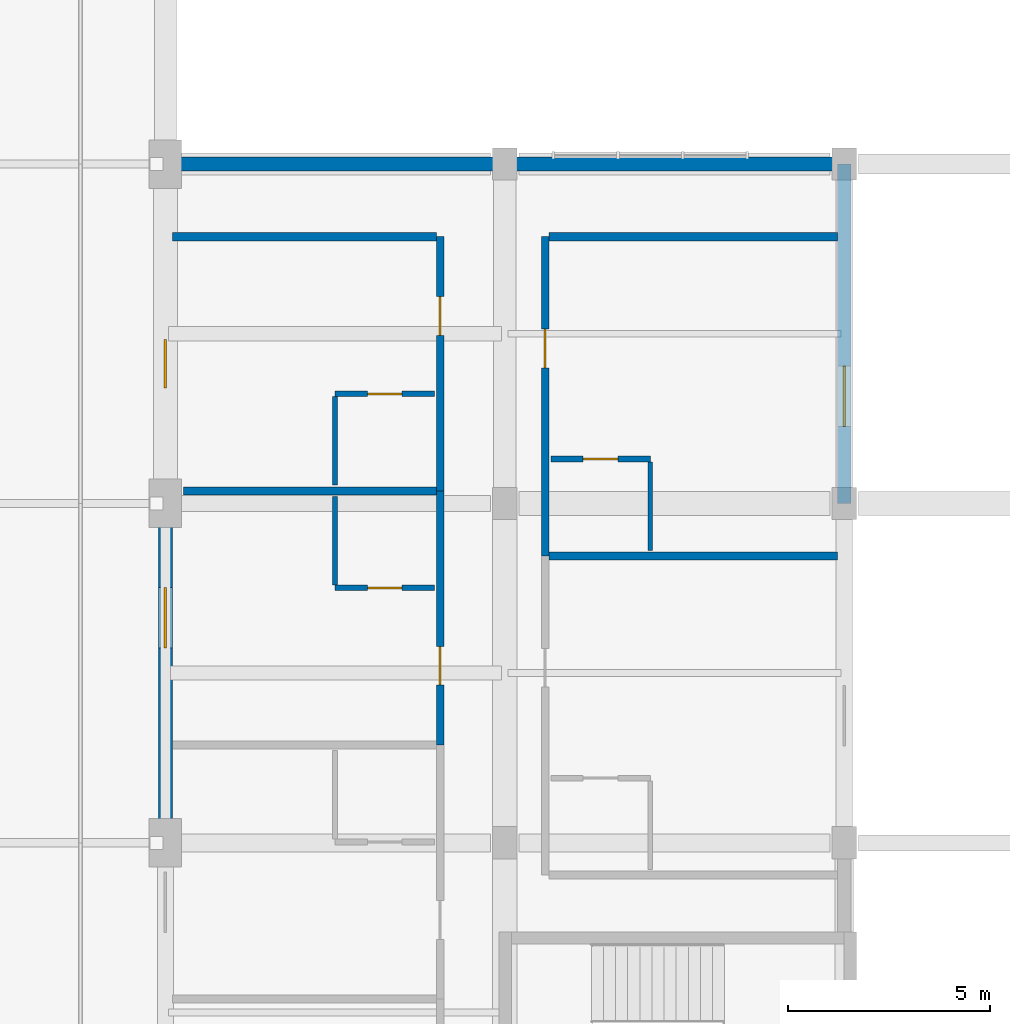
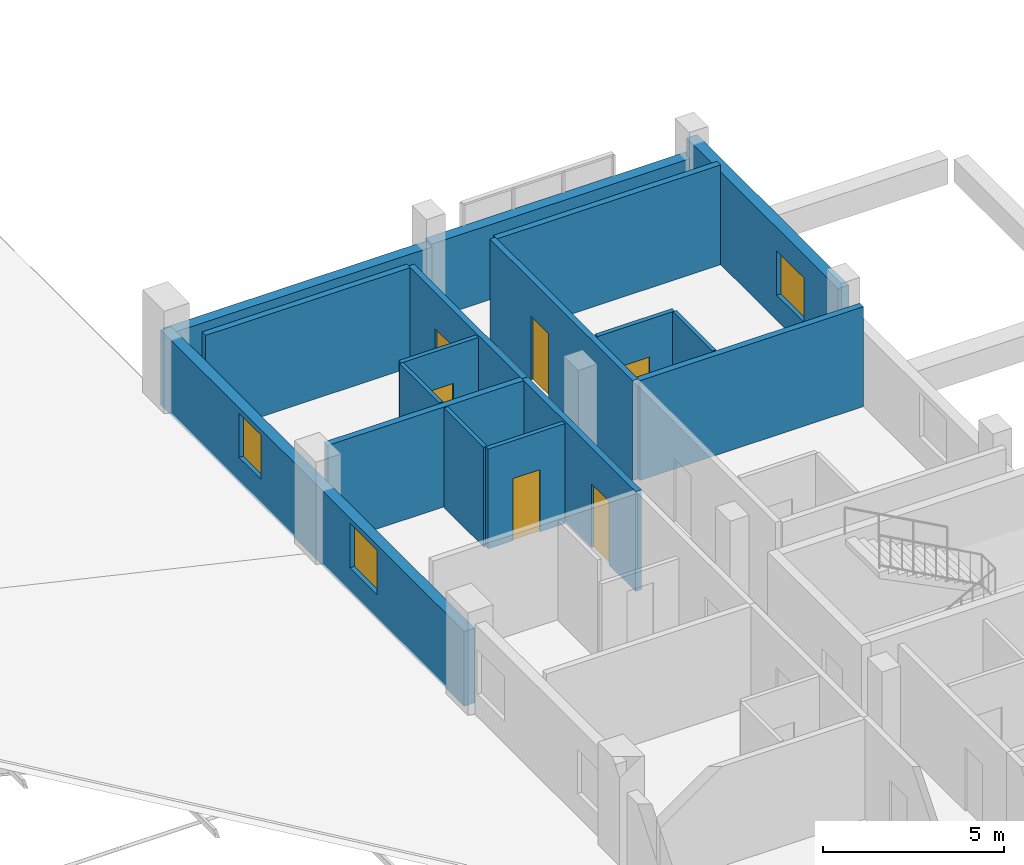
# One storey, part 36 of 42: 17 walls, 6 doors, 3 windows, 9 openings.
"""IFC4 building model written with IfcOpenShell, lengths in metres."""

from ifc_helpers import new_model, si_unit, derived_unit, direction, frame, frame_2d, origin, place, context, subcontext, project, spatial, rectangle, extrude, material, layer, layer_set, type_object, element, fill, save


model = new_model("IFC4")

# Units and contexts
model_context = context("Model", 3, precision=1e-05, world=origin(), true_north=direction((0.0, 1.0)))
body_context = subcontext(model_context, "Body", "Model", "MODEL_VIEW")
ifc_project = project(units=[si_unit("LENGTHUNIT", "METRE"), si_unit("AREAUNIT", "SQUARE_METRE"), si_unit("VOLUMEUNIT", "CUBIC_METRE"), si_unit("PLANEANGLEUNIT", "RADIAN"), si_unit("MASSUNIT", "GRAM", prefix="KILO"), derived_unit("THERMALTRANSMITTANCEUNIT", [(si_unit("POWERUNIT", "WATT"), 1), (si_unit("LENGTHUNIT", "METRE"), -2), (si_unit("THERMODYNAMICTEMPERATUREUNIT", "KELVIN"), -1)])], contexts=[model_context])

# Site, building, storey
site_placement = place(None, origin())
site = spatial("IfcSite", under=ifc_project, at=site_placement, CompositionType="ELEMENT")
building_placement = place(site_placement, origin())
building = spatial("IfcBuilding", under=site, at=building_placement, Name="Barrovel Congress Hotel", CompositionType="ELEMENT")
storey_placement = place(building_placement, frame((0.0, 0.0, 18.300048828125)))
storey = spatial("IfcBuildingStorey", under=building, at=storey_placement, Name="L04", CompositionType="ELEMENT", Elevation=18.300048828125)

# Wall, opening, window
ifc_material_1 = material(Name="Fired Clay Brick Masonry", Category="masonry")
ifc_layer_1 = layer(ifc_material_1, 0.340087890625)
ifc_layer_set_1 = layer_set([ifc_layer_1], Name="Fired Clay Brick Masonry")
wall_type_1 = type_object("IfcWallType", Name="EW-BRK340", PredefinedType="STANDARD", material=ifc_layer_set_1)
wall_1_placement = place(storey_placement, frame((50.39990234375, 71.39990234375, 0.0), z_axis=(0.0, 0.0, 1.0), x_axis=(0.0, 1.0, 0.0)))
wall_1 = element("IfcWall", 1, at=wall_1_placement, inside=storey, type_object=wall_type_1, Name="EW:L04:HW-E-2", PredefinedType="STANDARD", context=body_context, shape_type="SweptSolid", body=[
    extrude(rectangle(XDim=8.400146484375, YDim=0.340087890625, at=frame_2d((4.2001953125, 0.0))), origin(), (0.0, 0.0, 1.0), 3.133056640625),
])
opening_1_placement = place(wall_1_placement, frame((1.89990234375, 0.0, 0.85009765625)))
opening_1 = element("IfcOpeningElement", 2, at=opening_1_placement, cuts=wall_1, Name="Opening WN-07", PredefinedType="OPENING", context=body_context, shape_type="SweptSolid", body=[
    extrude(rectangle(XDim=1.5, YDim=1.5, at=frame_2d((0.75, 0.75))), frame((0.0, 0.18017578125, 0.0), z_axis=(0.0, -1.0, 0.0), x_axis=(1.0, 0.0, 0.0)), (0.0, 0.0, 1.0), 0.360107421875),
])
ifc_material_2 = material(Name="Double Low-E Insulated Glazing", Category="glass")
window_type_1 = type_object("IfcWindowType", Name="WIN-WN-07", PartitioningType="SINGLE_PANEL", PredefinedType="WINDOW", material=ifc_material_2)
window_1_placement = place(opening_1_placement, origin())
window_1 = element("IfcWindow", 3, at=window_1_placement, inside=storey, type_object=window_type_1, Name="WIN:L04:U48", OverallHeight=1.5, OverallWidth=1.5, PartitioningType="SINGLE_PANEL", PredefinedType="WINDOW", context=body_context, shape_type="SweptSolid", body=[
    extrude(rectangle(XDim=1.5, YDim=1.5, at=frame_2d((0.75, 0.75))), frame((0.0, 0.030029296875, 0.0), z_axis=(0.0, -1.0, 0.0), x_axis=(1.0, 0.0, 0.0)), (0.0, 0.0, 1.0), 0.06005859375),
])
fill(opening_1, window_1)

# Wall
wall_2_placement = place(storey_placement, frame((50.39990234375, 79.800048828125, 0.0), z_axis=(0.0, 0.0, 1.0), x_axis=(-1.0, 0.0, 0.0)))
element("IfcWall", 4, at=wall_2_placement, inside=storey, type_object=wall_type_1, Name="EW:L04:HW-N", PredefinedType="STANDARD", context=body_context, shape_type="SweptSolid", body=[
    extrude(rectangle(XDim=8.39990234375, YDim=0.340087890625, at=frame_2d((4.199951171875, 0.0))), origin(), (0.0, 0.0, 1.0), 2.530029296875),
])

# Wall, openings, windows
wall_3_placement = place(storey_placement, frame((33.60009765625, 79.800048828125, 0.0), z_axis=(0.0, 0.0, 1.0), x_axis=(0.0, -1.0, 0.0)))
wall_3 = element("IfcWall", 5, at=wall_3_placement, inside=storey, type_object=wall_type_1, Name="EW:L04:HW-W", PredefinedType="STANDARD", context=body_context, shape_type="SweptSolid", body=[
    extrude(rectangle(XDim=16.800048828125, YDim=0.340087890625, at=frame_2d((8.39990234375, 0.0))), origin(), (0.0, 0.0, 1.0), 2.530029296875),
])
opening_2_placement = place(wall_3_placement, frame((10.4833984375, 0.0, 0.85009765625)))
opening_2 = element("IfcOpeningElement", 6, at=opening_2_placement, cuts=wall_3, Name="Opening WN-07", PredefinedType="OPENING", context=body_context, shape_type="SweptSolid", body=[
    extrude(rectangle(XDim=1.5, YDim=1.5, at=frame_2d((0.75, 0.75))), frame((0.0, 0.18017578125, 0.0), z_axis=(0.0, -1.0, 0.0), x_axis=(1.0, 0.0, 0.0)), (0.0, 0.0, 1.0), 0.360107421875),
])
opening_3_placement = place(wall_3_placement, frame((4.344482421875, 0.0, 0.85009765625)))
opening_3 = element("IfcOpeningElement", 7, at=opening_3_placement, cuts=wall_3, Name="Opening WN-06", PredefinedType="OPENING", context=body_context, shape_type="SweptSolid", body=[
    extrude(rectangle(XDim=1.199951171875, YDim=1.5, at=frame_2d((0.60009765625, 0.75))), frame((0.0, 0.18017578125, 0.0), z_axis=(0.0, -1.0, 0.0), x_axis=(1.0, 0.0, 0.0)), (0.0, 0.0, 1.0), 0.360107421875),
])
window_type_2 = type_object("IfcWindowType", Name="WIN-WN-06", PartitioningType="SINGLE_PANEL", PredefinedType="WINDOW", material=ifc_material_2)
window_2_placement = place(opening_3_placement, origin())
window_2 = element("IfcWindow", 8, at=window_2_placement, inside=storey, type_object=window_type_2, Name="WIN:L04:U41", OverallHeight=1.5, OverallWidth=1.199951171875, PartitioningType="SINGLE_PANEL", PredefinedType="WINDOW", context=body_context, shape_type="SweptSolid", body=[
    extrude(rectangle(XDim=1.199951171875, YDim=1.5, at=frame_2d((0.60009765625, 0.75))), frame((0.0, 0.030029296875, 0.0), z_axis=(0.0, -1.0, 0.0), x_axis=(1.0, 0.0, 0.0)), (0.0, 0.0, 1.0), 0.06005859375),
])
fill(opening_3, window_2)
window_3_placement = place(opening_2_placement, origin())
window_3 = element("IfcWindow", 9, at=window_3_placement, inside=storey, type_object=window_type_1, Name="WIN:L04:U40", OverallHeight=1.5, OverallWidth=1.5, PartitioningType="SINGLE_PANEL", PredefinedType="WINDOW", context=body_context, shape_type="SweptSolid", body=[
    extrude(rectangle(XDim=1.5, YDim=1.5, at=frame_2d((0.75, 0.75))), frame((0.0, 0.030029296875, 0.0), z_axis=(0.0, -1.0, 0.0), x_axis=(1.0, 0.0, 0.0)), (0.0, 0.0, 1.0), 0.06005859375),
])
fill(opening_2, window_3)

# Wall
wall_4_placement = place(storey_placement, frame((42.0, 79.800048828125, 0.0), z_axis=(0.0, 0.0, 1.0), x_axis=(-1.0, 0.0, 0.0)))
element("IfcWall", 10, at=wall_4_placement, inside=storey, type_object=wall_type_1, Name="EW:L04:HW-N:P02", PredefinedType="STANDARD", context=body_context, shape_type="SweptSolid", body=[
    extrude(rectangle(XDim=8.39990234375, YDim=0.340087890625, at=frame_2d((4.199951171875, 0.0))), origin(), (0.0, 0.0, 1.0), 2.429931640625),
])

# Wall, opening, door
ifc_material_3 = material(Name="Gypsum Acoustic Stud", Category="gypsum")
ifc_layer_2 = layer(ifc_material_3, 0.179931640625)
ifc_layer_set_2 = layer_set([ifc_layer_2], Name="Gypsum Acoustic Stud")
wall_type_2 = type_object("IfcWallType", Name="PW-ACU-180", PredefinedType="PARTITIONING", material=ifc_layer_set_2)
wall_5_placement = place(storey_placement, frame((40.39990234375, 65.422119140625, 0.0), z_axis=(0.0, 0.0, 1.0), x_axis=(0.0, 1.0, 0.0)))
wall_5 = element("IfcWall", 11, at=wall_5_placement, inside=storey, type_object=wall_type_2, Name="PW:L04:U40:COR", PredefinedType="PARTITIONING", context=body_context, shape_type="SweptSolid", body=[
    extrude(rectangle(XDim=6.2890625, YDim=0.179931640625, at=frame_2d((3.14453125, 0.0))), origin(), (0.0, 0.0, 1.0), 3.375),
])
opening_4_placement = place(wall_5_placement, frame((1.4794921875, 0.0, 0.0)))
opening_4 = element("IfcOpeningElement", 12, at=opening_4_placement, cuts=wall_5, Name="Opening ID-HTL", PredefinedType="OPENING", context=body_context, shape_type="SweptSolid", body=[
    extrude(rectangle(XDim=0.9599609375, YDim=2.14990234375, at=frame_2d((0.47998046875, 1.074951171875))), frame((0.0, 0.10009765625, 0.0), z_axis=(0.0, -1.0, 0.0), x_axis=(1.0, 0.0, 0.0)), (0.0, 0.0, 1.0), 0.199951171875),
])
ifc_material_4 = material(Name="Solid Oak Acoustic Timber Door", Category="wood")
door_type_1 = type_object("IfcDoorType", Name="IDR-ID-HTL", OperationType="NOTDEFINED", PredefinedType="DOOR", material=ifc_material_4)
door_1_placement = place(opening_4_placement, origin())
door_1 = element("IfcDoor", 13, at=door_1_placement, inside=storey, type_object=door_type_1, Name="DR:L04:U40:ENT", OperationType="SINGLE_SWING_RIGHT", OverallHeight=2.14990234375, OverallWidth=0.9599609375, PredefinedType="DOOR", context=body_context, shape_type="SweptSolid", body=[
    extrude(rectangle(XDim=0.9599609375, YDim=2.14990234375, at=frame_2d((0.47998046875, 1.074951171875))), frame((0.0, 0.02490234375, 0.0), z_axis=(0.0, -1.0, 0.0), x_axis=(1.0, 0.0, 0.0)), (0.0, 0.0, 1.0), 0.050048828125),
])
fill(opening_4, door_1)

wall_6_placement = place(storey_placement, frame((40.39990234375, 71.711181640625, 0.0), z_axis=(0.0, 0.0, 1.0), x_axis=(0.0, 1.0, 0.0)))
wall_6 = element("IfcWall", 14, at=wall_6_placement, inside=storey, type_object=wall_type_2, Name="PW:L04:U41:COR", PredefinedType="PARTITIONING", context=body_context, shape_type="SweptSolid", body=[
    extrude(rectangle(XDim=6.288818359375, YDim=0.179931640625, at=frame_2d((3.14453125, 0.0))), origin(), (0.0, 0.0, 1.0), 3.375),
])
opening_5_placement = place(wall_6_placement, frame((3.849365234375, 0.0, 0.0)))
opening_5 = element("IfcOpeningElement", 15, at=opening_5_placement, cuts=wall_6, Name="Opening ID-HTL", PredefinedType="OPENING", context=body_context, shape_type="SweptSolid", body=[
    extrude(rectangle(XDim=0.9599609375, YDim=2.14990234375, at=frame_2d((0.47998046875, 1.074951171875))), frame((0.0, 0.10009765625, 0.0), z_axis=(0.0, -1.0, 0.0), x_axis=(1.0, 0.0, 0.0)), (0.0, 0.0, 1.0), 0.199951171875),
])
door_2_placement = place(opening_5_placement, origin())
door_2 = element("IfcDoor", 16, at=door_2_placement, inside=storey, type_object=door_type_1, Name="DR:L04:U41:ENT", OperationType="SINGLE_SWING_RIGHT", OverallHeight=2.14990234375, OverallWidth=0.9599609375, PredefinedType="DOOR", context=body_context, shape_type="SweptSolid", body=[
    extrude(rectangle(XDim=0.9599609375, YDim=2.14990234375, at=frame_2d((0.47998046875, 1.074951171875))), frame((0.0, 0.02490234375, 0.0), z_axis=(0.0, -1.0, 0.0), x_axis=(1.0, 0.0, 0.0)), (0.0, 0.0, 1.0), 0.050048828125),
])
fill(opening_5, door_2)

wall_7_placement = place(storey_placement, frame((43.0, 70.10009765625, 0.0), z_axis=(0.0, 0.0, 1.0), x_axis=(0.0, 1.0, 0.0)))
wall_7 = element("IfcWall", 17, at=wall_7_placement, inside=storey, type_object=wall_type_2, Name="PW:L04:U48:COR", PredefinedType="PARTITIONING", context=body_context, shape_type="SweptSolid", body=[
    extrude(rectangle(XDim=7.89990234375, YDim=0.179931640625, at=frame_2d((3.949951171875, 0.0))), origin(), (0.0, 0.0, 1.0), 3.375),
])
opening_6_placement = place(wall_7_placement, frame((4.655029296875, 0.0, 0.0)))
opening_6 = element("IfcOpeningElement", 18, at=opening_6_placement, cuts=wall_7, Name="Opening ID-HTL", PredefinedType="OPENING", context=body_context, shape_type="SweptSolid", body=[
    extrude(rectangle(XDim=0.9599609375, YDim=2.14990234375, at=frame_2d((0.47998046875, 1.074951171875))), frame((0.0, 0.10009765625, 0.0), z_axis=(0.0, -1.0, 0.0), x_axis=(1.0, 0.0, 0.0)), (0.0, 0.0, 1.0), 0.199951171875),
])
door_3_placement = place(opening_6_placement, origin())
door_3 = element("IfcDoor", 19, at=door_3_placement, inside=storey, type_object=door_type_1, Name="DR:L04:U48:ENT", OperationType="SINGLE_SWING_RIGHT", OverallHeight=2.14990234375, OverallWidth=0.9599609375, PredefinedType="DOOR", context=body_context, shape_type="SweptSolid", body=[
    extrude(rectangle(XDim=0.9599609375, YDim=2.14990234375, at=frame_2d((0.47998046875, 1.074951171875))), frame((0.0, 0.02490234375, 0.0), z_axis=(0.0, -1.0, 0.0), x_axis=(1.0, 0.0, 0.0)), (0.0, 0.0, 1.0), 0.050048828125),
])
fill(opening_6, door_3)

# Walls
ifc_layer_3 = layer(ifc_material_3, 0.1201171875)
ifc_layer_set_3 = layer_set([ifc_layer_3], Name="Gypsum Acoustic Stud")
wall_type_3 = type_object("IfcWallType", Name="PW-INT-120", PredefinedType="PARTITIONING", material=ifc_layer_set_3)
for number, where, z_axis, x_axis, name in (
    (20, (37.800048828125, 69.381103515625, 0.0), (0.0, 0.0, 1.0), (0.0, 1.0, 0.0), "PW:L04:U40:B2"),
    (21, (37.800048828125, 71.85107421875, 0.0), (0.0, 0.0, 1.0), (0.0, 1.0, 0.0), "PW:L04:U41:B2"),
    (22, (45.60009765625, 70.239990234375, 0.0), (0.0, 0.0, 1.0), (0.0, 1.0, 0.0), "PW:L04:U48:B2"),
):
    element("IfcWall", number, at=place(storey_placement, frame(where, z_axis=z_axis, x_axis=x_axis)), inside=storey, type_object=wall_type_3, Name=name, PredefinedType="PARTITIONING", context=body_context, shape_type="SweptSolid", body=[
        extrude(rectangle(XDim=2.18994140625, YDim=0.1201171875, at=frame_2d((1.094970703125, 0.0))), origin(), (0.0, 0.0, 1.0), 3.375),
    ])
ifc_layer_4 = layer(ifc_material_1, 0.199951171875)
ifc_layer_set_4 = layer_set([ifc_layer_4], Name="Fired Clay Brick Masonry")
wall_type_4 = type_object("IfcWallType", Name="PW-MAS-200", PredefinedType="PARTITIONING", material=ifc_layer_set_4)
wall_8_placement = place(storey_placement, frame((34.050048828125, 71.711181640625, 0.0), z_axis=(0.0, 0.0, 1.0), x_axis=(1.0, 0.0, 0.0)))
element("IfcWall", 23, at=wall_8_placement, inside=storey, type_object=wall_type_4, Name="PW:L04:U40:DEM", PredefinedType="PARTITIONING", context=body_context, shape_type="SweptSolid", body=[
    extrude(rectangle(XDim=6.260009765625, YDim=0.199951171875, at=frame_2d((3.1298828125, 0.0))), origin(), (0.0, 0.0, 1.0), 3.375),
])
wall_9_placement = place(storey_placement, frame((33.77001953125, 78.0, 0.0), z_axis=(0.0, 0.0, 1.0), x_axis=(1.0, 0.0, 0.0)))
element("IfcWall", 24, at=wall_9_placement, inside=storey, type_object=wall_type_4, Name="PW:L04:U41:DEM", PredefinedType="PARTITIONING", context=body_context, shape_type="SweptSolid", body=[
    extrude(rectangle(XDim=6.5400390625, YDim=0.199951171875, at=frame_2d((3.27001953125, 0.0))), origin(), (0.0, 0.0, 1.0), 3.375),
])
for number, where, z_axis, x_axis, name in (
    (25, (43.090087890625, 70.10009765625, 0.0), (0.0, 0.0, 1.0), (1.0, 0.0, 0.0), "PW:L04:U47:DEM"),
    (26, (43.090087890625, 78.0, 0.0), (0.0, 0.0, 1.0), (1.0, 0.0, 0.0), "PW:L04:U48:DEM"),
):
    element("IfcWall", number, at=place(storey_placement, frame(where, z_axis=z_axis, x_axis=x_axis)), inside=storey, type_object=wall_type_4, Name=name, PredefinedType="PARTITIONING", context=body_context, shape_type="SweptSolid", body=[
        extrude(rectangle(XDim=7.139892578125, YDim=0.199951171875, at=frame_2d((3.56982421875, 0.0))), origin(), (0.0, 0.0, 1.0), 3.375),
    ])

# Wall, opening, door
ifc_material_5 = material(Name="Gypsum Moisture Board", Category="gypsum")
ifc_layer_5 = layer(ifc_material_5, 0.139892578125)
ifc_layer_set_5 = layer_set([ifc_layer_5], Name="Gypsum Moisture Board")
wall_type_5 = type_object("IfcWallType", Name="PW-WET-140", PredefinedType="PARTITIONING", material=ifc_layer_set_5)
wall_10_placement = place(storey_placement, frame((37.800048828125, 69.31103515625, 0.0), z_axis=(0.0, 0.0, 1.0), x_axis=(1.0, 0.0, 0.0)))
wall_10 = element("IfcWall", 27, at=wall_10_placement, inside=storey, type_object=wall_type_5, Name="PW:L04:U40:B1", PredefinedType="PARTITIONING", context=body_context, shape_type="SweptSolid", body=[
    extrude(rectangle(XDim=2.4599609375, YDim=0.139892578125, at=frame_2d((1.22998046875, 0.0))), origin(), (0.0, 0.0, 1.0), 3.375),
])
opening_7_placement = place(wall_10_placement, frame((0.800048828125, 0.0, 0.0)))
opening_7 = element("IfcOpeningElement", 28, at=opening_7_placement, cuts=wall_10, Name="Opening ID-ENS", PredefinedType="OPENING", context=body_context, shape_type="SweptSolid", body=[
    extrude(rectangle(XDim=0.860107421875, YDim=2.10009765625, at=frame_2d((0.43017578125, 1.050048828125))), frame((0.0, 0.080078125, 0.0), z_axis=(0.0, -1.0, 0.0), x_axis=(1.0, 0.0, 0.0)), (0.0, 0.0, 1.0), 0.159912109375),
])
ifc_material_6 = material(Name="Lacquered Timber Moisture Door", Category="wood")
door_type_2 = type_object("IfcDoorType", Name="IDR-ID-ENS", OperationType="NOTDEFINED", PredefinedType="DOOR", material=ifc_material_6)
door_4_placement = place(opening_7_placement, origin())
door_4 = element("IfcDoor", 29, at=door_4_placement, inside=storey, type_object=door_type_2, Name="DR:L04:U40:ENS", OperationType="SINGLE_SWING_LEFT", OverallHeight=2.10009765625, OverallWidth=0.860107421875, PredefinedType="DOOR", context=body_context, shape_type="SweptSolid", body=[
    extrude(rectangle(XDim=0.860107421875, YDim=2.10009765625, at=frame_2d((0.43017578125, 1.050048828125))), frame((0.0, 0.02490234375, 0.0), z_axis=(0.0, -1.0, 0.0), x_axis=(1.0, 0.0, 0.0)), (0.0, 0.0, 1.0), 0.050048828125),
])
fill(opening_7, door_4)

wall_11_placement = place(storey_placement, frame((37.800048828125, 74.111083984375, 0.0), z_axis=(0.0, 0.0, 1.0), x_axis=(1.0, 0.0, 0.0)))
wall_11 = element("IfcWall", 30, at=wall_11_placement, inside=storey, type_object=wall_type_5, Name="PW:L04:U41:B1", PredefinedType="PARTITIONING", context=body_context, shape_type="SweptSolid", body=[
    extrude(rectangle(XDim=2.4599609375, YDim=0.139892578125, at=frame_2d((1.22998046875, 0.0))), origin(), (0.0, 0.0, 1.0), 3.375),
])
opening_8_placement = place(wall_11_placement, frame((0.800048828125, 0.0, 0.0)))
opening_8 = element("IfcOpeningElement", 31, at=opening_8_placement, cuts=wall_11, Name="Opening ID-ENS", PredefinedType="OPENING", context=body_context, shape_type="SweptSolid", body=[
    extrude(rectangle(XDim=0.860107421875, YDim=2.10009765625, at=frame_2d((0.43017578125, 1.050048828125))), frame((0.0, 0.080078125, 0.0), z_axis=(0.0, -1.0, 0.0), x_axis=(1.0, 0.0, 0.0)), (0.0, 0.0, 1.0), 0.159912109375),
])
door_5_placement = place(opening_8_placement, origin())
door_5 = element("IfcDoor", 32, at=door_5_placement, inside=storey, type_object=door_type_2, Name="DR:L04:U41:ENS", OperationType="SINGLE_SWING_LEFT", OverallHeight=2.10009765625, OverallWidth=0.860107421875, PredefinedType="DOOR", context=body_context, shape_type="SweptSolid", body=[
    extrude(rectangle(XDim=0.860107421875, YDim=2.10009765625, at=frame_2d((0.43017578125, 1.050048828125))), frame((0.0, 0.02490234375, 0.0), z_axis=(0.0, -1.0, 0.0), x_axis=(1.0, 0.0, 0.0)), (0.0, 0.0, 1.0), 0.050048828125),
])
fill(opening_8, door_5)

wall_12_placement = place(storey_placement, frame((43.139892578125, 72.5, 0.0), z_axis=(0.0, 0.0, 1.0), x_axis=(1.0, 0.0, 0.0)))
wall_12 = element("IfcWall", 33, at=wall_12_placement, inside=storey, type_object=wall_type_5, Name="PW:L04:U48:B1", PredefinedType="PARTITIONING", context=body_context, shape_type="SweptSolid", body=[
    extrude(rectangle(XDim=2.460205078125, YDim=0.139892578125, at=frame_2d((1.22998046875, 0.0))), origin(), (0.0, 0.0, 1.0), 3.375),
])
opening_9_placement = place(wall_12_placement, frame((0.800048828125, 0.0, 0.0)))
opening_9 = element("IfcOpeningElement", 34, at=opening_9_placement, cuts=wall_12, Name="Opening ID-ENS", PredefinedType="OPENING", context=body_context, shape_type="SweptSolid", body=[
    extrude(rectangle(XDim=0.860107421875, YDim=2.10009765625, at=frame_2d((0.43017578125, 1.050048828125))), frame((0.0, 0.080078125, 0.0), z_axis=(0.0, -1.0, 0.0), x_axis=(1.0, 0.0, 0.0)), (0.0, 0.0, 1.0), 0.159912109375),
])
door_6_placement = place(opening_9_placement, origin())
door_6 = element("IfcDoor", 35, at=door_6_placement, inside=storey, type_object=door_type_2, Name="DR:L04:U48:ENS", OperationType="SINGLE_SWING_LEFT", OverallHeight=2.10009765625, OverallWidth=0.860107421875, PredefinedType="DOOR", context=body_context, shape_type="SweptSolid", body=[
    extrude(rectangle(XDim=0.860107421875, YDim=2.10009765625, at=frame_2d((0.43017578125, 1.050048828125))), frame((0.0, 0.02490234375, 0.0), z_axis=(0.0, -1.0, 0.0), x_axis=(1.0, 0.0, 0.0)), (0.0, 0.0, 1.0), 0.050048828125),
])
fill(opening_9, door_6)

save(model, "model.ifc")
